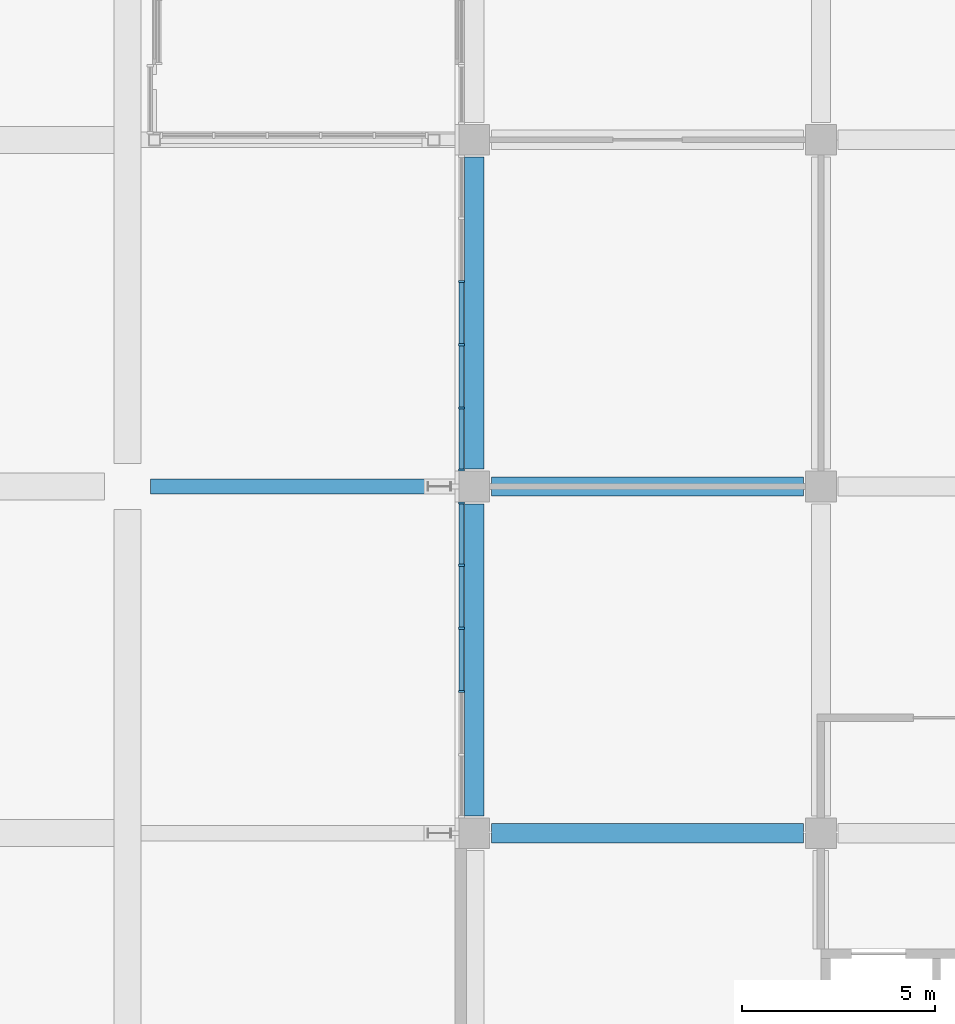
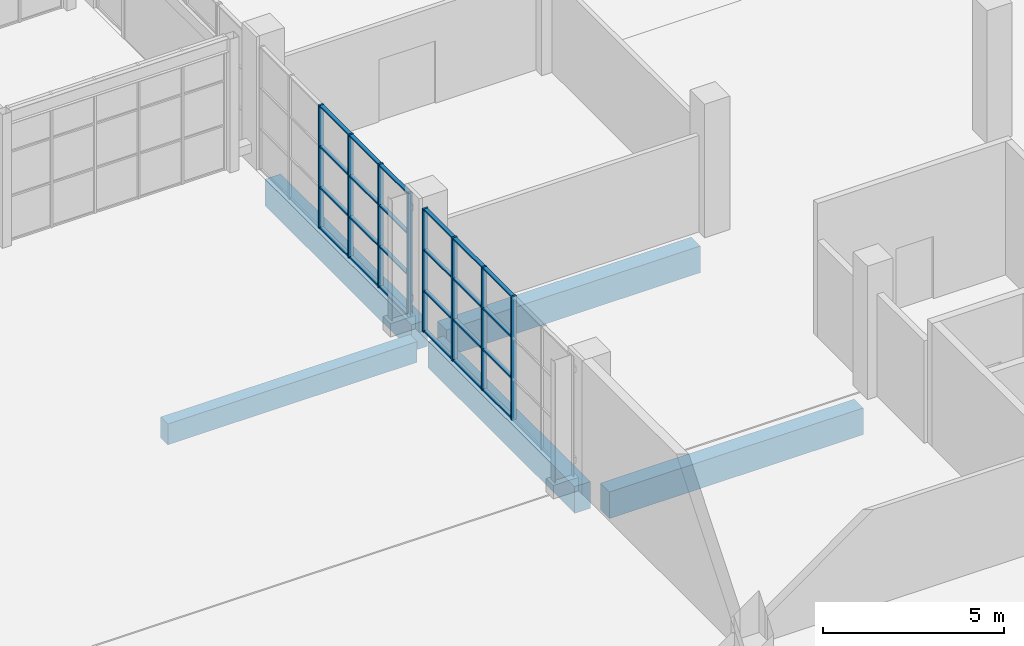
# One storey, part 36 of 168: 32 members, 5 beams, 2 elements without a shape of their own.
"""IFC4 building model written with IfcOpenShell, lengths in metres."""

from ifc_helpers import new_model, si_unit, direction, frame, origin, origin_2d, place, context, subcontext, project, spatial, rectangle, extrude, material, material_profile, profile_set, type_object, element, aggregate, save


model = new_model("IFC4")

# Units and contexts
model_context = context("Model", 3, precision=1e-05, world=origin(), true_north=direction((0.0, 1.0)))
body_context = subcontext(model_context, "Body", "Model", "MODEL_VIEW")
ifc_project = project(units=[si_unit("LENGTHUNIT", "METRE"), si_unit("AREAUNIT", "SQUARE_METRE"), si_unit("VOLUMEUNIT", "CUBIC_METRE"), si_unit("PLANEANGLEUNIT", "RADIAN"), si_unit("MASSUNIT", "GRAM", prefix="KILO")], contexts=[model_context])

# Site, building, storey
site_placement = place(None, origin())
site = spatial("IfcSite", under=ifc_project, at=site_placement, CompositionType="ELEMENT")
building_placement = place(site_placement, origin())
building = spatial("IfcBuilding", under=site, at=building_placement, Name="Silverbay Arena", CompositionType="ELEMENT")
storey_placement = place(building_placement, frame((0.0, 0.0, 7.0)))
storey = spatial("IfcBuildingStorey", under=building, at=storey_placement, Name="L01", CompositionType="ELEMENT", Elevation=7.0)

# Curtain wall, members
ifc_material_1 = material(Name="Aluminium framed curtain wall", Category="aluminium")
curtain_wall_type = type_object("IfcCurtainWallType", Name="Curtain wall 8200 x 4150", PredefinedType="NOTDEFINED", material=ifc_material_1)
curtain_wall_1_placement = place(storey_placement, origin())
curtain_wall_1 = element("IfcCurtainWall", 1, at=curtain_wall_1_placement, inside=storey, type_object=curtain_wall_type, Name="West curtain wall L01 bay 8", PredefinedType="NOTDEFINED")
ifc_material_2 = material(Name="Aluminium", Category="aluminium")
ifc_material_profile_1 = material_profile(ifc_material_2, rectangle(XDim=0.159912109375, YDim=0.06005859375, at=origin_2d()), Name="Mullion 60 x 160")
ifc_profile_set_1 = profile_set([ifc_material_profile_1], Name="Aluminium")
member_type_1 = type_object("IfcMemberType", Name="Mullion 60 x 160", PredefinedType="MULLION", material=ifc_profile_set_1)
member_1_placement = place(storey_placement, frame((26.669921875, 89.570068359375, 0.0), z_axis=(0.0, 0.0, 1.0), x_axis=(1.0, 0.0, 0.0)))
member_1 = element("IfcMember", 2, at=member_1_placement, type_object=member_type_1, Name="CW7 mullion 1", PredefinedType="MULLION", context=body_context, shape_type="SweptSolid", body=[
    extrude(rectangle(XDim=0.159912109375, YDim=0.06005859375, at=origin_2d()), origin(), (0.0, 0.0, 1.0), 4.14990234375),
])
member_2_placement = place(storey_placement, frame((26.669921875, 87.9599609375, 0.0), z_axis=(0.0, 0.0, 1.0), x_axis=(1.0, 0.0, 0.0)))
member_2 = element("IfcMember", 3, at=member_2_placement, type_object=member_type_1, Name="CW7 mullion 2", PredefinedType="MULLION", context=body_context, shape_type="SweptSolid", body=[
    extrude(rectangle(XDim=0.159912109375, YDim=0.06005859375, at=origin_2d()), origin(), (0.0, 0.0, 1.0), 4.14990234375),
])
member_3_placement = place(storey_placement, frame((26.669921875, 86.320068359375, 0.0), z_axis=(0.0, 0.0, 1.0), x_axis=(1.0, 0.0, 0.0)))
member_3 = element("IfcMember", 4, at=member_3_placement, type_object=member_type_1, Name="CW7 mullion 3", PredefinedType="MULLION", context=body_context, shape_type="SweptSolid", body=[
    extrude(rectangle(XDim=0.159912109375, YDim=0.06005859375, at=origin_2d()), origin(), (0.0, 0.0, 1.0), 4.14990234375),
])
member_4_placement = place(storey_placement, frame((26.669921875, 84.679931640625, 0.0), z_axis=(0.0, 0.0, 1.0), x_axis=(1.0, 0.0, 0.0)))
member_4 = element("IfcMember", 5, at=member_4_placement, type_object=member_type_1, Name="CW7 mullion 4", PredefinedType="MULLION", context=body_context, shape_type="SweptSolid", body=[
    extrude(rectangle(XDim=0.159912109375, YDim=0.06005859375, at=origin_2d()), origin(), (0.0, 0.0, 1.0), 4.14990234375),
])

curtain_wall_2_placement = place(storey_placement, origin())
curtain_wall_2 = element("IfcCurtainWall", 6, at=curtain_wall_2_placement, inside=storey, type_object=curtain_wall_type, Name="West curtain wall L01 bay 9", PredefinedType="NOTDEFINED")
member_5_placement = place(storey_placement, frame((26.669921875, 95.320068359375, 0.0), z_axis=(0.0, 0.0, 1.0), x_axis=(1.0, 0.0, 0.0)))
member_5 = element("IfcMember", 7, at=member_5_placement, type_object=member_type_1, Name="CW7 mullion 3", PredefinedType="MULLION", context=body_context, shape_type="SweptSolid", body=[
    extrude(rectangle(XDim=0.159912109375, YDim=0.06005859375, at=origin_2d()), origin(), (0.0, 0.0, 1.0), 4.14990234375),
])
member_6_placement = place(storey_placement, frame((26.669921875, 93.679931640625, 0.0), z_axis=(0.0, 0.0, 1.0), x_axis=(1.0, 0.0, 0.0)))
member_6 = element("IfcMember", 8, at=member_6_placement, type_object=member_type_1, Name="CW7 mullion 4", PredefinedType="MULLION", context=body_context, shape_type="SweptSolid", body=[
    extrude(rectangle(XDim=0.159912109375, YDim=0.06005859375, at=origin_2d()), origin(), (0.0, 0.0, 1.0), 4.14990234375),
])
member_7_placement = place(storey_placement, frame((26.669921875, 92.0400390625, 0.0), z_axis=(0.0, 0.0, 1.0), x_axis=(1.0, 0.0, 0.0)))
member_7 = element("IfcMember", 9, at=member_7_placement, type_object=member_type_1, Name="CW7 mullion 5", PredefinedType="MULLION", context=body_context, shape_type="SweptSolid", body=[
    extrude(rectangle(XDim=0.159912109375, YDim=0.06005859375, at=origin_2d()), origin(), (0.0, 0.0, 1.0), 4.14990234375),
])
member_8_placement = place(storey_placement, frame((26.669921875, 90.429931640625, 0.0), z_axis=(0.0, 0.0, 1.0), x_axis=(1.0, 0.0, 0.0)))
member_8 = element("IfcMember", 10, at=member_8_placement, type_object=member_type_1, Name="CW7 mullion 6", PredefinedType="MULLION", context=body_context, shape_type="SweptSolid", body=[
    extrude(rectangle(XDim=0.159912109375, YDim=0.06005859375, at=origin_2d()), origin(), (0.0, 0.0, 1.0), 4.14990234375),
])

# Beams
ifc_material_3 = material(Name="Concrete Grade C45", Category="concrete")
ifc_material_profile_2 = material_profile(ifc_material_3, rectangle(XDim=0.39990234375, YDim=0.699951171875, at=origin_2d()), Name="RC 400x700")
ifc_profile_set_2 = profile_set([ifc_material_profile_2], Name="Concrete Grade C45")
beam_type_1 = type_object("IfcBeamType", Name="RC beam 400x700", PredefinedType="BEAM", material=ifc_profile_set_2)
beam_placement = place(storey_placement, frame((18.60009765625, 90.0, -0.800048828125), z_axis=(1.0, 0.0, 0.0), x_axis=(0.0, 1.0, 0.0)))
element("IfcBeam", 11, at=beam_placement, inside=storey, type_object=beam_type_1, Name="Deck row beam 084", PredefinedType="BEAM", context=body_context, shape_type="SweptSolid", body=[
    extrude(rectangle(XDim=0.39990234375, YDim=0.699951171875, at=origin_2d()), origin(), (0.0, 0.0, 1.0), 7.949951171875),
])
ifc_material_4 = material(Name="Concrete Grade C45", Category="concrete")
ifc_material_profile_3 = material_profile(ifc_material_4, rectangle(XDim=0.5, YDim=0.89990234375, at=origin_2d()), Name="RC 500x900")
ifc_profile_set_3 = profile_set([ifc_material_profile_3], Name="Concrete Grade C45")
beam_type_2 = type_object("IfcBeamType", Name="RC beam 500x900", PredefinedType="BEAM", material=ifc_profile_set_3)
for number, where, z_axis, x_axis, name in (
    (12, (27.449951171875, 81.0, -0.800048828125), (1.0, 0.0, 0.0), (0.0, 1.0, 0.0), "Floor beam L01 084"),
    (13, (27.449951171875, 90.0, -0.800048828125), (1.0, 0.0, 0.0), (0.0, 1.0, 0.0), "Floor beam L01 098"),
    (14, (27.0, 81.449951171875, -0.800048828125), (0.0, 1.0, 0.0), (-1.0, 0.0, 0.0), "Floor beam L01 186"),
    (15, (27.0, 90.449951171875, -0.800048828125), (0.0, 1.0, 0.0), (-1.0, 0.0, 0.0), "Floor beam L01 187"),
):
    element("IfcBeam", number, at=place(storey_placement, frame(where, z_axis=z_axis, x_axis=x_axis)), inside=storey, type_object=beam_type_2, Name=name, PredefinedType="BEAM", context=body_context, shape_type="SweptSolid", body=[
        extrude(rectangle(XDim=0.5, YDim=0.89990234375, at=origin_2d()), origin(), (0.0, 0.0, 1.0), 8.10009765625),
    ])

# Member
ifc_material_5 = material(Name="Aluminium", Category="aluminium")
ifc_material_profile_4 = material_profile(ifc_material_5, rectangle(XDim=0.1201171875, YDim=0.050048828125, at=origin_2d()), Name="Transom 50 x 120")
ifc_profile_set_4 = profile_set([ifc_material_profile_4], Name="Aluminium")
member_type_2 = type_object("IfcMemberType", Name="Transom 50 x 120", PredefinedType="USERDEFINED", material=ifc_profile_set_4)
member_9_placement = place(storey_placement, frame((26.669921875, 89.5400390625, 0.02490234375), z_axis=(0.0, -1.0, 0.0), x_axis=(1.0, 0.0, 0.0)))
member_9 = element("IfcMember", 16, at=member_9_placement, type_object=member_type_2, Name="CW7 transom 1.1", ObjectType="TRANSOM", PredefinedType="USERDEFINED", context=body_context, shape_type="SweptSolid", body=[
    extrude(rectangle(XDim=0.1201171875, YDim=0.050048828125, at=origin_2d()), origin(), (0.0, 0.0, 1.0), 1.550048828125),
])

member_10_placement = place(storey_placement, frame((26.669921875, 89.5400390625, 1.38330078125), z_axis=(0.0, -1.0, 0.0), x_axis=(1.0, 0.0, 0.0)))
member_10 = element("IfcMember", 17, at=member_10_placement, type_object=member_type_2, Name="CW7 transom 1.2", ObjectType="TRANSOM", PredefinedType="USERDEFINED", context=body_context, shape_type="SweptSolid", body=[
    extrude(rectangle(XDim=0.1201171875, YDim=0.050048828125, at=origin_2d()), origin(), (0.0, 0.0, 1.0), 1.550048828125),
])

member_11_placement = place(storey_placement, frame((26.669921875, 89.5400390625, 2.7666015625), z_axis=(0.0, -1.0, 0.0), x_axis=(1.0, 0.0, 0.0)))
member_11 = element("IfcMember", 18, at=member_11_placement, type_object=member_type_2, Name="CW7 transom 1.3", ObjectType="TRANSOM", PredefinedType="USERDEFINED", context=body_context, shape_type="SweptSolid", body=[
    extrude(rectangle(XDim=0.1201171875, YDim=0.050048828125, at=origin_2d()), origin(), (0.0, 0.0, 1.0), 1.550048828125),
])

member_12_placement = place(storey_placement, frame((26.669921875, 89.5400390625, 4.125), z_axis=(0.0, -1.0, 0.0), x_axis=(1.0, 0.0, 0.0)))
member_12 = element("IfcMember", 19, at=member_12_placement, type_object=member_type_2, Name="CW7 transom 1.4", ObjectType="TRANSOM", PredefinedType="USERDEFINED", context=body_context, shape_type="SweptSolid", body=[
    extrude(rectangle(XDim=0.1201171875, YDim=0.050048828125, at=origin_2d()), origin(), (0.0, 0.0, 1.0), 1.550048828125),
])

member_13_placement = place(storey_placement, frame((26.669921875, 87.929931640625, 0.02490234375), z_axis=(0.0, -1.0, 0.0), x_axis=(1.0, 0.0, 0.0)))
member_13 = element("IfcMember", 20, at=member_13_placement, type_object=member_type_2, Name="CW7 transom 2.1", ObjectType="TRANSOM", PredefinedType="USERDEFINED", context=body_context, shape_type="SweptSolid", body=[
    extrude(rectangle(XDim=0.1201171875, YDim=0.050048828125, at=origin_2d()), origin(), (0.0, 0.0, 1.0), 1.579833984375),
])

member_14_placement = place(storey_placement, frame((26.669921875, 87.929931640625, 1.38330078125), z_axis=(0.0, -1.0, 0.0), x_axis=(1.0, 0.0, 0.0)))
member_14 = element("IfcMember", 21, at=member_14_placement, type_object=member_type_2, Name="CW7 transom 2.2", ObjectType="TRANSOM", PredefinedType="USERDEFINED", context=body_context, shape_type="SweptSolid", body=[
    extrude(rectangle(XDim=0.1201171875, YDim=0.050048828125, at=origin_2d()), origin(), (0.0, 0.0, 1.0), 1.579833984375),
])

member_15_placement = place(storey_placement, frame((26.669921875, 87.929931640625, 2.7666015625), z_axis=(0.0, -1.0, 0.0), x_axis=(1.0, 0.0, 0.0)))
member_15 = element("IfcMember", 22, at=member_15_placement, type_object=member_type_2, Name="CW7 transom 2.3", ObjectType="TRANSOM", PredefinedType="USERDEFINED", context=body_context, shape_type="SweptSolid", body=[
    extrude(rectangle(XDim=0.1201171875, YDim=0.050048828125, at=origin_2d()), origin(), (0.0, 0.0, 1.0), 1.579833984375),
])

member_16_placement = place(storey_placement, frame((26.669921875, 87.929931640625, 4.125), z_axis=(0.0, -1.0, 0.0), x_axis=(1.0, 0.0, 0.0)))
member_16 = element("IfcMember", 23, at=member_16_placement, type_object=member_type_2, Name="CW7 transom 2.4", ObjectType="TRANSOM", PredefinedType="USERDEFINED", context=body_context, shape_type="SweptSolid", body=[
    extrude(rectangle(XDim=0.1201171875, YDim=0.050048828125, at=origin_2d()), origin(), (0.0, 0.0, 1.0), 1.579833984375),
])

member_17_placement = place(storey_placement, frame((26.669921875, 86.2900390625, 0.02490234375), z_axis=(0.0, -1.0, 0.0), x_axis=(1.0, 0.0, 0.0)))
member_17 = element("IfcMember", 24, at=member_17_placement, type_object=member_type_2, Name="CW7 transom 3.1", ObjectType="TRANSOM", PredefinedType="USERDEFINED", context=body_context, shape_type="SweptSolid", body=[
    extrude(rectangle(XDim=0.1201171875, YDim=0.050048828125, at=origin_2d()), origin(), (0.0, 0.0, 1.0), 1.580078125),
])

member_18_placement = place(storey_placement, frame((26.669921875, 86.2900390625, 1.38330078125), z_axis=(0.0, -1.0, 0.0), x_axis=(1.0, 0.0, 0.0)))
member_18 = element("IfcMember", 25, at=member_18_placement, type_object=member_type_2, Name="CW7 transom 3.2", ObjectType="TRANSOM", PredefinedType="USERDEFINED", context=body_context, shape_type="SweptSolid", body=[
    extrude(rectangle(XDim=0.1201171875, YDim=0.050048828125, at=origin_2d()), origin(), (0.0, 0.0, 1.0), 1.580078125),
])

member_19_placement = place(storey_placement, frame((26.669921875, 86.2900390625, 2.7666015625), z_axis=(0.0, -1.0, 0.0), x_axis=(1.0, 0.0, 0.0)))
member_19 = element("IfcMember", 26, at=member_19_placement, type_object=member_type_2, Name="CW7 transom 3.3", ObjectType="TRANSOM", PredefinedType="USERDEFINED", context=body_context, shape_type="SweptSolid", body=[
    extrude(rectangle(XDim=0.1201171875, YDim=0.050048828125, at=origin_2d()), origin(), (0.0, 0.0, 1.0), 1.580078125),
])

member_20_placement = place(storey_placement, frame((26.669921875, 86.2900390625, 4.125), z_axis=(0.0, -1.0, 0.0), x_axis=(1.0, 0.0, 0.0)))
member_20 = element("IfcMember", 27, at=member_20_placement, type_object=member_type_2, Name="CW7 transom 3.4", ObjectType="TRANSOM", PredefinedType="USERDEFINED", context=body_context, shape_type="SweptSolid", body=[
    extrude(rectangle(XDim=0.1201171875, YDim=0.050048828125, at=origin_2d()), origin(), (0.0, 0.0, 1.0), 1.580078125),
])

aggregate(curtain_wall_1, [member_1, member_2, member_3, member_4, member_9, member_10, member_11, member_12, member_13, member_14, member_15, member_16, member_17, member_18, member_19, member_20])

member_21_placement = place(storey_placement, frame((26.669921875, 95.2900390625, 0.02490234375), z_axis=(0.0, -1.0, 0.0), x_axis=(1.0, 0.0, 0.0)))
member_21 = element("IfcMember", 28, at=member_21_placement, type_object=member_type_2, Name="CW7 transom 3.1", ObjectType="TRANSOM", PredefinedType="USERDEFINED", context=body_context, shape_type="SweptSolid", body=[
    extrude(rectangle(XDim=0.1201171875, YDim=0.050048828125, at=origin_2d()), origin(), (0.0, 0.0, 1.0), 1.580078125),
])

member_22_placement = place(storey_placement, frame((26.669921875, 95.2900390625, 1.38330078125), z_axis=(0.0, -1.0, 0.0), x_axis=(1.0, 0.0, 0.0)))
member_22 = element("IfcMember", 29, at=member_22_placement, type_object=member_type_2, Name="CW7 transom 3.2", ObjectType="TRANSOM", PredefinedType="USERDEFINED", context=body_context, shape_type="SweptSolid", body=[
    extrude(rectangle(XDim=0.1201171875, YDim=0.050048828125, at=origin_2d()), origin(), (0.0, 0.0, 1.0), 1.580078125),
])

member_23_placement = place(storey_placement, frame((26.669921875, 95.2900390625, 2.7666015625), z_axis=(0.0, -1.0, 0.0), x_axis=(1.0, 0.0, 0.0)))
member_23 = element("IfcMember", 30, at=member_23_placement, type_object=member_type_2, Name="CW7 transom 3.3", ObjectType="TRANSOM", PredefinedType="USERDEFINED", context=body_context, shape_type="SweptSolid", body=[
    extrude(rectangle(XDim=0.1201171875, YDim=0.050048828125, at=origin_2d()), origin(), (0.0, 0.0, 1.0), 1.580078125),
])

member_24_placement = place(storey_placement, frame((26.669921875, 95.2900390625, 4.125), z_axis=(0.0, -1.0, 0.0), x_axis=(1.0, 0.0, 0.0)))
member_24 = element("IfcMember", 31, at=member_24_placement, type_object=member_type_2, Name="CW7 transom 3.4", ObjectType="TRANSOM", PredefinedType="USERDEFINED", context=body_context, shape_type="SweptSolid", body=[
    extrude(rectangle(XDim=0.1201171875, YDim=0.050048828125, at=origin_2d()), origin(), (0.0, 0.0, 1.0), 1.580078125),
])

member_25_placement = place(storey_placement, frame((26.669921875, 93.64990234375, 0.02490234375), z_axis=(0.0, -1.0, 0.0), x_axis=(1.0, 0.0, 0.0)))
member_25 = element("IfcMember", 32, at=member_25_placement, type_object=member_type_2, Name="CW7 transom 4.1", ObjectType="TRANSOM", PredefinedType="USERDEFINED", context=body_context, shape_type="SweptSolid", body=[
    extrude(rectangle(XDim=0.1201171875, YDim=0.050048828125, at=origin_2d()), origin(), (0.0, 0.0, 1.0), 1.579833984375),
])

member_26_placement = place(storey_placement, frame((26.669921875, 93.64990234375, 1.38330078125), z_axis=(0.0, -1.0, 0.0), x_axis=(1.0, 0.0, 0.0)))
member_26 = element("IfcMember", 33, at=member_26_placement, type_object=member_type_2, Name="CW7 transom 4.2", ObjectType="TRANSOM", PredefinedType="USERDEFINED", context=body_context, shape_type="SweptSolid", body=[
    extrude(rectangle(XDim=0.1201171875, YDim=0.050048828125, at=origin_2d()), origin(), (0.0, 0.0, 1.0), 1.579833984375),
])

member_27_placement = place(storey_placement, frame((26.669921875, 93.64990234375, 2.7666015625), z_axis=(0.0, -1.0, 0.0), x_axis=(1.0, 0.0, 0.0)))
member_27 = element("IfcMember", 34, at=member_27_placement, type_object=member_type_2, Name="CW7 transom 4.3", ObjectType="TRANSOM", PredefinedType="USERDEFINED", context=body_context, shape_type="SweptSolid", body=[
    extrude(rectangle(XDim=0.1201171875, YDim=0.050048828125, at=origin_2d()), origin(), (0.0, 0.0, 1.0), 1.579833984375),
])

member_28_placement = place(storey_placement, frame((26.669921875, 93.64990234375, 4.125), z_axis=(0.0, -1.0, 0.0), x_axis=(1.0, 0.0, 0.0)))
member_28 = element("IfcMember", 35, at=member_28_placement, type_object=member_type_2, Name="CW7 transom 4.4", ObjectType="TRANSOM", PredefinedType="USERDEFINED", context=body_context, shape_type="SweptSolid", body=[
    extrude(rectangle(XDim=0.1201171875, YDim=0.050048828125, at=origin_2d()), origin(), (0.0, 0.0, 1.0), 1.579833984375),
])

member_29_placement = place(storey_placement, frame((26.669921875, 92.010009765625, 0.02490234375), z_axis=(0.0, -1.0, 0.0), x_axis=(1.0, 0.0, 0.0)))
member_29 = element("IfcMember", 36, at=member_29_placement, type_object=member_type_2, Name="CW7 transom 5.1", ObjectType="TRANSOM", PredefinedType="USERDEFINED", context=body_context, shape_type="SweptSolid", body=[
    extrude(rectangle(XDim=0.1201171875, YDim=0.050048828125, at=origin_2d()), origin(), (0.0, 0.0, 1.0), 1.550048828125),
])

member_30_placement = place(storey_placement, frame((26.669921875, 92.010009765625, 1.38330078125), z_axis=(0.0, -1.0, 0.0), x_axis=(1.0, 0.0, 0.0)))
member_30 = element("IfcMember", 37, at=member_30_placement, type_object=member_type_2, Name="CW7 transom 5.2", ObjectType="TRANSOM", PredefinedType="USERDEFINED", context=body_context, shape_type="SweptSolid", body=[
    extrude(rectangle(XDim=0.1201171875, YDim=0.050048828125, at=origin_2d()), origin(), (0.0, 0.0, 1.0), 1.550048828125),
])

member_31_placement = place(storey_placement, frame((26.669921875, 92.010009765625, 2.7666015625), z_axis=(0.0, -1.0, 0.0), x_axis=(1.0, 0.0, 0.0)))
member_31 = element("IfcMember", 38, at=member_31_placement, type_object=member_type_2, Name="CW7 transom 5.3", ObjectType="TRANSOM", PredefinedType="USERDEFINED", context=body_context, shape_type="SweptSolid", body=[
    extrude(rectangle(XDim=0.1201171875, YDim=0.050048828125, at=origin_2d()), origin(), (0.0, 0.0, 1.0), 1.550048828125),
])

member_32_placement = place(storey_placement, frame((26.669921875, 92.010009765625, 4.125), z_axis=(0.0, -1.0, 0.0), x_axis=(1.0, 0.0, 0.0)))
member_32 = element("IfcMember", 39, at=member_32_placement, type_object=member_type_2, Name="CW7 transom 5.4", ObjectType="TRANSOM", PredefinedType="USERDEFINED", context=body_context, shape_type="SweptSolid", body=[
    extrude(rectangle(XDim=0.1201171875, YDim=0.050048828125, at=origin_2d()), origin(), (0.0, 0.0, 1.0), 1.550048828125),
])

aggregate(curtain_wall_2, [member_5, member_6, member_7, member_8, member_21, member_22, member_23, member_24, member_25, member_26, member_27, member_28, member_29, member_30, member_31, member_32])

save(model, "model.ifc")
